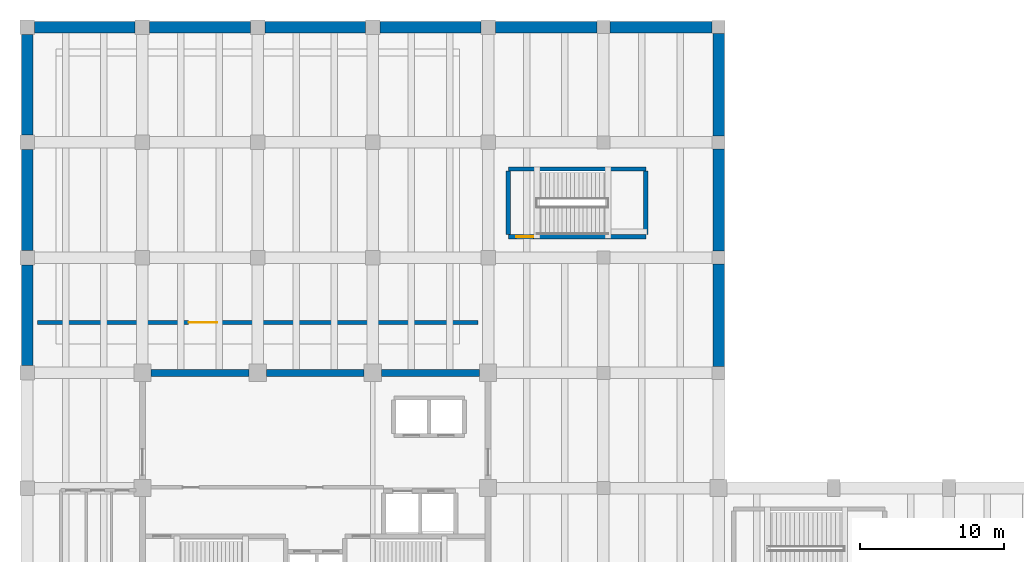
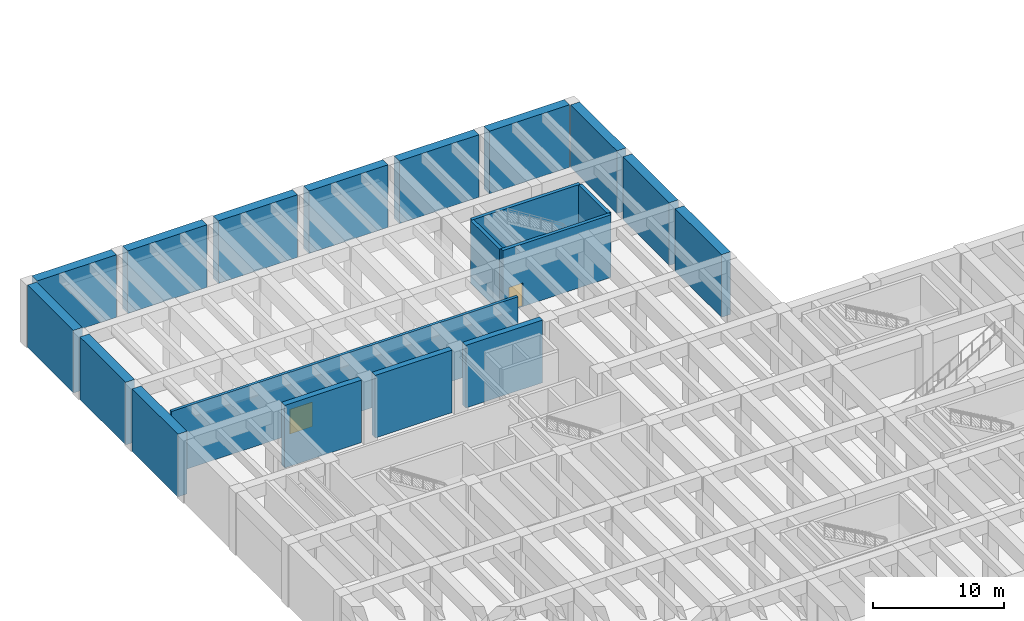
# One storey, part 11 of 24: 20 walls, 2 doors, 2 openings.
"""IFC4 building model written with IfcOpenShell, lengths in metres."""

from ifc_helpers import new_model, si_unit, direction, frame, frame_2d, origin, place, context, subcontext, project, spatial, rectangle, extrude, material, layer, layer_set, type_object, element, fill, save


model = new_model("IFC4")

# Units and contexts
model_context = context("Model", 3, precision=1e-05, world=origin(), true_north=direction((0.0, 1.0)))
body_context = subcontext(model_context, "Body", "Model", "MODEL_VIEW")
ifc_project = project(units=[si_unit("LENGTHUNIT", "METRE"), si_unit("AREAUNIT", "SQUARE_METRE"), si_unit("VOLUMEUNIT", "CUBIC_METRE"), si_unit("PLANEANGLEUNIT", "RADIAN"), si_unit("MASSUNIT", "GRAM", prefix="KILO")], contexts=[model_context])

# Site, building, storey
site_placement = place(None, origin())
site = spatial("IfcSite", under=ifc_project, at=site_placement, CompositionType="ELEMENT")
building_placement = place(site_placement, origin())
building = spatial("IfcBuilding", under=site, at=building_placement, Name="Varnela Railside Interchange", CompositionType="ELEMENT")
storey_placement = place(building_placement, frame((0.0, 0.0, -6.300048828125)))
storey = spatial("IfcBuildingStorey", under=building, at=storey_placement, Name="B1", CompositionType="ELEMENT", Elevation=-6.300048828125)

# Walls
ifc_material_1 = material(Name="Concrete C50", Category="concrete")
ifc_layer_1 = layer(ifc_material_1, 0.5)
ifc_layer_set_1 = layer_set([ifc_layer_1], Name="Concrete C50")
wall_type_1 = type_object("IfcWallType", Name="Core Primary Shear Wall SW-01", PredefinedType="SHEAR", material=ifc_layer_set_1)
for number, where, z_axis, x_axis, name in (
    (1, (12.60009765625, 70.0, 0.0), (0.0, 0.0, 1.0), (1.0, 0.0, 0.0), "Core Primary Shear Wall SW-01 (B1) (WL-0167)"),
    (2, (20.60009765625, 70.0, 0.0), (0.0, 0.0, 1.0), (1.0, 0.0, 0.0), "Core Primary Shear Wall SW-01 (B1) (WL-0168)"),
    (3, (28.60009765625, 70.0, 0.0), (0.0, 0.0, 1.0), (1.0, 0.0, 0.0), "Core Primary Shear Wall SW-01 (B1) (WL-0169)"),
):
    element("IfcWall", number, at=place(storey_placement, frame(where, z_axis=z_axis, x_axis=x_axis)), inside=storey, type_object=wall_type_1, Name=name, PredefinedType="SHEAR", context=body_context, shape_type="SweptSolid", body=[
        extrude(rectangle(XDim=6.7998046875, YDim=0.5, at=frame_2d((3.39990234375, 0.0))), origin(), (0.0, 0.0, 1.0), 5.85009765625),
    ])
ifc_layer_2 = layer(ifc_material_1, 0.300048828125)
ifc_layer_set_2 = layer_set([ifc_layer_2], Name="Concrete C50")
wall_type_2 = type_object("IfcWallType", Name="Stair & Lift Shaft Wall SW-03", PredefinedType="SHEAR", material=ifc_layer_set_2)
wall_1_placement = place(storey_placement, frame((37.39990234375, 84.14990234375, 0.0), z_axis=(0.0, 0.0, 1.0), x_axis=(1.0, 0.0, 0.0)))
element("IfcWall", 4, at=wall_1_placement, inside=storey, type_object=wall_type_2, Name="Stair & Lift Shaft Wall SW-03 (B1) (WL-0307)", PredefinedType="SHEAR", context=body_context, shape_type="SweptSolid", body=[
    extrude(rectangle(XDim=9.550048828125, YDim=0.300048828125, at=frame_2d((4.77490234375, 0.0))), origin(), (0.0, 0.0, 1.0), 5.85009765625),
])

# Wall, opening, door
wall_2_placement = place(storey_placement, frame((37.39990234375, 79.449951171875, 0.0), z_axis=(0.0, 0.0, 1.0), x_axis=(1.0, 0.0, 0.0)))
wall_2 = element("IfcWall", 5, at=wall_2_placement, inside=storey, type_object=wall_type_2, Name="Stair & Lift Shaft Wall SW-03 (B1) (WL-0308)", PredefinedType="SHEAR", context=body_context, shape_type="SweptSolid", body=[
    extrude(rectangle(XDim=9.550048828125, YDim=0.300048828125, at=frame_2d((4.77490234375, 0.0))), origin(), (0.0, 0.0, 1.0), 5.85009765625),
])
opening_1_placement = place(wall_2_placement, frame((0.550048828125, 0.0, 0.0)))
opening_1 = element("IfcOpeningElement", 6, at=opening_1_placement, cuts=wall_2, Name="Opening D-140", PredefinedType="OPENING", context=body_context, shape_type="SweptSolid", body=[
    extrude(rectangle(XDim=1.199951171875, YDim=2.199951171875, at=frame_2d((0.60009765625, 1.10009765625))), frame((0.0, 0.159912109375, 0.0), z_axis=(0.0, -1.0, 0.0), x_axis=(1.0, 0.0, 0.0)), (0.0, 0.0, 1.0), 0.320068359375),
])
ifc_material_2 = material(Name="Steel AR 350 (350 MPa)", Category="steel")
door_type_1 = type_object("IfcDoorType", Name="DR-SGL-1200-FD90", OperationType="NOTDEFINED", PredefinedType="DOOR", material=ifc_material_2)
door_1_placement = place(opening_1_placement, origin())
door_1 = element("IfcDoor", 7, at=door_1_placement, inside=storey, type_object=door_type_1, Name="Door D-140", OperationType="SINGLE_SWING_RIGHT", OverallHeight=2.199951171875, OverallWidth=1.199951171875, PredefinedType="DOOR", context=body_context, shape_type="SweptSolid", body=[
    extrude(rectangle(XDim=1.199951171875, YDim=2.199951171875, at=frame_2d((0.60009765625, 1.10009765625))), frame((0.0, 0.02490234375, 0.0), z_axis=(0.0, -1.0, 0.0), x_axis=(1.0, 0.0, 0.0)), (0.0, 0.0, 1.0), 0.050048828125),
])
fill(opening_1, door_1)

# Walls
for number, where, z_axis, x_axis, name in (
    (8, (37.39990234375, 79.60009765625, 0.0), (0.0, 0.0, 1.0), (0.0, 1.0, 0.0), "Stair & Lift Shaft Wall SW-03 (B1) (WL-0309)"),
    (9, (46.949951171875, 79.60009765625, 0.0), (0.0, 0.0, 1.0), (0.0, 1.0, 0.0), "Stair & Lift Shaft Wall SW-03 (B1) (WL-0306)"),
):
    element("IfcWall", number, at=place(storey_placement, frame(where, z_axis=z_axis, x_axis=x_axis)), inside=storey, type_object=wall_type_2, Name=name, PredefinedType="SHEAR", context=body_context, shape_type="SweptSolid", body=[
        extrude(rectangle(XDim=4.39990234375, YDim=0.300048828125, at=frame_2d((2.199951171875, 0.0))), origin(), (0.0, 0.0, 1.0), 5.85009765625),
    ])
ifc_material_3 = material(Name="Concrete C40", Category="concrete")
ifc_layer_3 = layer(ifc_material_3, 0.800048828125)
ifc_layer_set_3 = layer_set([ifc_layer_3], Name="Concrete C40")
wall_type_3 = type_object("IfcWallType", Name="Station Box Retaining Wall DW-02", PredefinedType="USERDEFINED", material=ifc_layer_set_3)
for number, where, z_axis, x_axis, name in (
    (10, (52.0, 70.449951171875, 0.0), (0.0, 0.0, 1.0), (0.0, 1.0, 0.0), "Station Box Retaining Wall DW-02 (B1) (WL-0205)"),
    (11, (52.0, 78.449951171875, 0.0), (0.0, 0.0, 1.0), (0.0, 1.0, 0.0), "Station Box Retaining Wall DW-02 (B1) (WL-0206)"),
    (12, (52.0, 86.449951171875, 0.0), (0.0, 0.0, 1.0), (0.0, 1.0, 0.0), "Station Box Retaining Wall DW-02 (B1) (WL-0207)"),
    (13, (51.550048828125, 94.0, 0.0), (0.0, 0.0, 1.0), (-1.0, 0.0, 0.0), "Station Box Retaining Wall DW-02 (B1) (WL-0228)"),
):
    element("IfcWall", number, at=place(storey_placement, frame(where, z_axis=z_axis, x_axis=x_axis)), inside=storey, type_object=wall_type_3, Name=name, ObjectType="RETAININGWALL", PredefinedType="USERDEFINED", context=body_context, shape_type="SweptSolid", body=[
        extrude(rectangle(XDim=7.10009765625, YDim=0.800048828125, at=frame_2d((3.550048828125, 0.0))), origin(), (0.0, 0.0, 1.0), 5.85009765625),
    ])
wall_3_placement = place(storey_placement, frame((43.550048828125, 94.0, 0.0), z_axis=(0.0, 0.0, 1.0), x_axis=(-1.0, 0.0, 0.0)))
element("IfcWall", 14, at=wall_3_placement, inside=storey, type_object=wall_type_3, Name="Station Box Retaining Wall DW-02 (B1) (WL-0229)", ObjectType="RETAININGWALL", PredefinedType="USERDEFINED", context=body_context, shape_type="SweptSolid", body=[
    extrude(rectangle(XDim=7.050048828125, YDim=0.800048828125, at=frame_2d((3.52490234375, 0.0))), origin(), (0.0, 0.0, 1.0), 5.85009765625),
])
for number, where, z_axis, x_axis, name in (
    (15, (35.5, 94.0, 0.0), (0.0, 0.0, 1.0), (-1.0, 0.0, 0.0), "Station Box Retaining Wall DW-02 (B1) (WL-0230)"),
    (16, (27.5, 94.0, 0.0), (0.0, 0.0, 1.0), (-1.0, 0.0, 0.0), "Station Box Retaining Wall DW-02 (B1) (WL-0231)"),
    (17, (19.5, 94.0, 0.0), (0.0, 0.0, 1.0), (-1.0, 0.0, 0.0), "Station Box Retaining Wall DW-02 (B1) (WL-0232)"),
    (18, (11.5, 94.0, 0.0), (0.0, 0.0, 1.0), (-1.0, 0.0, 0.0), "Station Box Retaining Wall DW-02 (B1) (WL-0233)"),
    (19, (4.0, 93.5, 0.0), (0.0, 0.0, 1.0), (0.0, -1.0, 0.0), "Station Box Retaining Wall DW-02 (B1) (WL-0234)"),
    (20, (4.0, 85.5, 0.0), (0.0, 0.0, 1.0), (0.0, -1.0, 0.0), "Station Box Retaining Wall DW-02 (B1) (WL-0235)"),
    (21, (4.0, 77.5, 0.0), (0.0, 0.0, 1.0), (0.0, -1.0, 0.0), "Station Box Retaining Wall DW-02 (B1) (WL-0236)"),
):
    element("IfcWall", number, at=place(storey_placement, frame(where, z_axis=z_axis, x_axis=x_axis)), inside=storey, type_object=wall_type_3, Name=name, ObjectType="RETAININGWALL", PredefinedType="USERDEFINED", context=body_context, shape_type="SweptSolid", body=[
        extrude(rectangle(XDim=7.0, YDim=0.800048828125, at=frame_2d((3.5, 0.0))), origin(), (0.0, 0.0, 1.0), 5.85009765625),
    ])

# Wall, opening, door
ifc_layer_4 = layer(ifc_material_3, 0.25)
ifc_layer_set_4 = layer_set([ifc_layer_4], Name="Concrete C40")
wall_type_4 = type_object("IfcWallType", Name="Substation Fire Wall EI120 FW-03", PredefinedType="SOLIDWALL", material=ifc_layer_set_4)
wall_4_placement = place(storey_placement, frame((4.699951171875, 73.5, 0.0), z_axis=(0.0, 0.0, 1.0), x_axis=(1.0, 0.0, 0.0)))
wall_4 = element("IfcWall", 22, at=wall_4_placement, inside=storey, type_object=wall_type_4, Name="Substation Fire Wall EI120 FW-03 (B1) (WL-0242)", PredefinedType="SOLIDWALL", context=body_context, shape_type="SweptSolid", body=[
    extrude(rectangle(XDim=30.60009765625, YDim=0.25, at=frame_2d((15.300048828125, 0.0))), origin(), (0.0, 0.0, 1.0), 5.85009765625),
])
opening_2_placement = place(wall_4_placement, frame((10.5, 0.0, 0.0)))
opening_2 = element("IfcOpeningElement", 23, at=opening_2_placement, cuts=wall_4, Name="Opening D-144", PredefinedType="OPENING", context=body_context, shape_type="SweptSolid", body=[
    extrude(rectangle(XDim=2.0, YDim=2.300048828125, at=frame_2d((1.0, 1.14990234375))), frame((0.0, 0.135009765625, 0.0), z_axis=(0.0, -1.0, 0.0), x_axis=(1.0, 0.0, 0.0)), (0.0, 0.0, 1.0), 0.27001953125),
])
door_type_2 = type_object("IfcDoorType", Name="DR-DBL-2000-FD60", OperationType="DOUBLE_DOOR_SINGLE_SWING", PredefinedType="DOOR", material=ifc_material_2)
door_2_placement = place(opening_2_placement, origin())
door_2 = element("IfcDoor", 24, at=door_2_placement, inside=storey, type_object=door_type_2, Name="Door D-144", OperationType="DOUBLE_DOOR_SINGLE_SWING", OverallHeight=2.300048828125, OverallWidth=2.0, PredefinedType="DOOR", context=body_context, shape_type="SweptSolid", body=[
    extrude(rectangle(XDim=2.0, YDim=2.300048828125, at=frame_2d((1.0, 1.14990234375))), frame((0.0, 0.02490234375, 0.0), z_axis=(0.0, -1.0, 0.0), x_axis=(1.0, 0.0, 0.0)), (0.0, 0.0, 1.0), 0.050048828125),
])
fill(opening_2, door_2)

save(model, "model.ifc")
